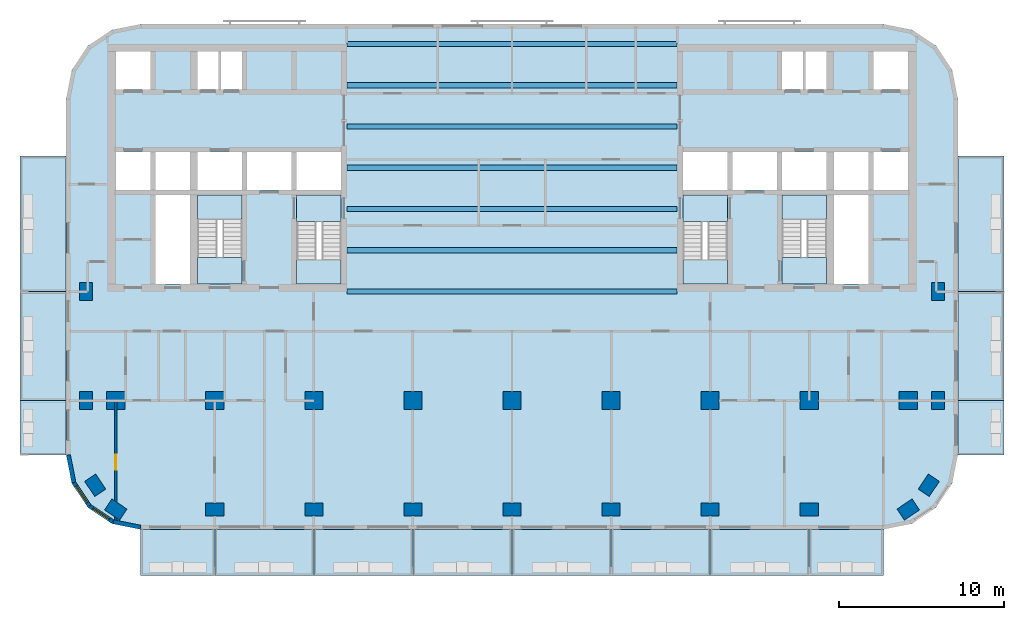
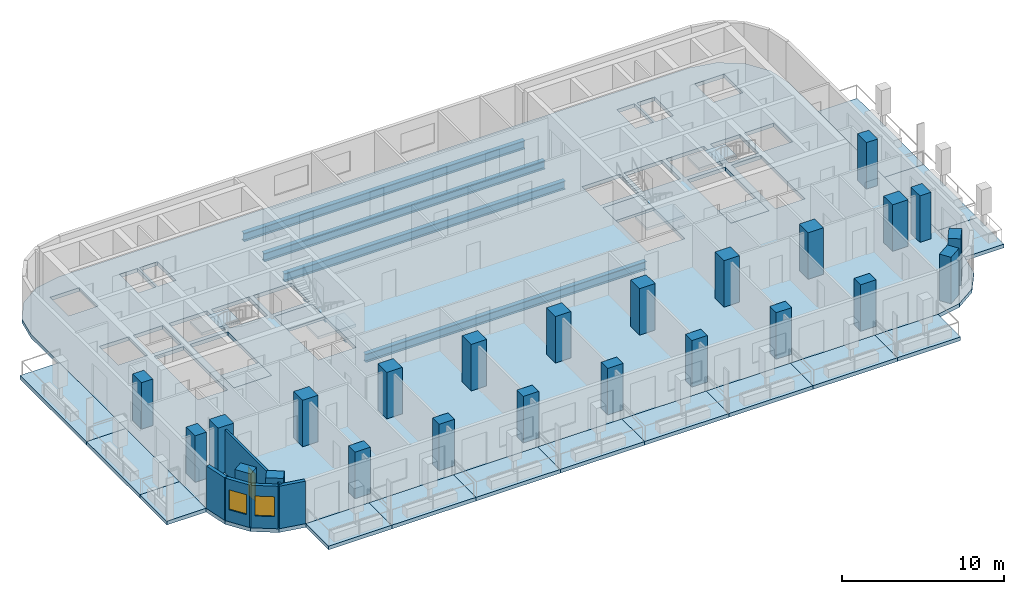
# One storey, part 1 of 11: 24 columns, 23 slabs, 7 beams, 5 walls, 2 windows, 1 door, 3 openings, 4 elements without a shape of their own.
"""IFC4 building model written with IfcOpenShell, lengths in metres."""

from ifc_helpers import new_model, si_unit, direction, frame, frame_2d, origin, origin_2d, place, context, subcontext, project, spatial, polyline, rectangle, i_section, outline, extrude, material, layer, layer_set, material_profile, profile_set, type_object, element, fill, aggregate, save


model = new_model("IFC4")

# Units and contexts
model_context = context("Model", 3, precision=1e-05, world=origin(), true_north=direction((0.0, 1.0)))
body_context = subcontext(model_context, "Body", "Model", "MODEL_VIEW")
ifc_project = project(units=[si_unit("LENGTHUNIT", "METRE"), si_unit("AREAUNIT", "SQUARE_METRE"), si_unit("VOLUMEUNIT", "CUBIC_METRE"), si_unit("PLANEANGLEUNIT", "RADIAN"), si_unit("MASSUNIT", "GRAM", prefix="KILO")], contexts=[model_context])

# Site, building, storey
site_placement = place(None, origin())
site = spatial("IfcSite", under=ifc_project, at=site_placement, CompositionType="ELEMENT")
building_placement = place(site_placement, origin())
building = spatial("IfcBuilding", under=site, at=building_placement, Name="Torana Hotel and Residences", CompositionType="ELEMENT")
storey_placement = place(building_placement, frame((0.0, 0.0, 243.10009765625)))
storey = spatial("IfcBuildingStorey", under=building, at=storey_placement, Name="L64", CompositionType="ELEMENT", Elevation=243.10009765625)

# Columns
ifc_material_1 = material(Name="Concrete C60/75", Category="concrete")
ifc_material_profile_1 = material_profile(ifc_material_1, rectangle(XDim=1.10009765625, YDim=1.10009765625, at=origin_2d()), Name="RC 1100x1100")
ifc_profile_set_1 = profile_set([ifc_material_profile_1], Name="Concrete C60/75")
column_type_1 = type_object("IfcColumnType", Name="COLUMN RC 1100x1100 C60/75", PredefinedType="COLUMN", material=ifc_profile_set_1)
for number, where, z_axis, x_axis, name in (
    (1, (-24.0, -21.60009765625, 0.0), (0.0, 0.0, 1.0), (1.0, 0.0, 0.0), "Column L64"),
    (2, (-18.0, -21.60009765625, 0.0), (0.0, 0.0, 1.0), (1.0, 0.0, 0.0), "Column L64"),
    (3, (-12.0, -21.60009765625, 0.0), (0.0, 0.0, 1.0), (1.0, 0.0, 0.0), "Column L64"),
    (4, (-6.0, -21.60009765625, 0.0), (0.0, 0.0, 1.0), (1.0, 0.0, 0.0), "Column L64"),
    (5, (0.0, -21.60009765625, 0.0), (0.0, 0.0, 1.0), (1.0, 0.0, 0.0), "Column L64"),
    (6, (6.0, -21.60009765625, 0.0), (0.0, 0.0, 1.0), (1.0, 0.0, 0.0), "Column L64"),
    (7, (12.0, -21.60009765625, 0.0), (0.0, 0.0, 1.0), (1.0, 0.0, 0.0), "Column L64"),
    (8, (18.0, -21.60009765625, 0.0), (0.0, 0.0, 1.0), (1.0, 0.0, 0.0), "Column L64"),
    (9, (24.0, -21.60009765625, 0.0), (0.0, 0.0, 1.0), (1.0, 0.0, 0.0), "Column L64"),
):
    element("IfcColumn", number, at=place(storey_placement, frame(where, z_axis=z_axis, x_axis=x_axis)), inside=storey, type_object=column_type_1, Name=name, PredefinedType="COLUMN", context=body_context, shape_type="SweptSolid", body=[
        extrude(rectangle(XDim=1.10009765625, YDim=1.10009765625, at=origin_2d()), origin(), (0.0, 0.0, 1.0), 3.5),
    ])
ifc_material_2 = material(Name="Concrete C60/75", Category="concrete")
ifc_material_profile_2 = material_profile(ifc_material_2, rectangle(XDim=1.10009765625, YDim=0.800048828125, at=origin_2d()), Name="RC 1100x800")
ifc_profile_set_2 = profile_set([ifc_material_profile_2], Name="Concrete C60/75")
column_type_2 = type_object("IfcColumnType", Name="COLUMN RC 1100x800 C60/75", PredefinedType="COLUMN", material=ifc_profile_set_2)
for number, where, z_axis, x_axis, name in (
    (10, (-25.800048828125, -21.60009765625, 0.0), (0.0, 0.0, 1.0), (0.0, 1.0, 0.0), "Column L64"),
    (11, (-25.800048828125, -15.0, 0.0), (0.0, 0.0, 1.0), (0.0, 1.0, 0.0), "Column L64"),
    (12, (-25.243896484375, -26.73291015625, 0.0), (0.0, 0.0, 1.0), (-0.555584744817, 0.831459915646, 0.0), "Column L64"),
    (13, (-24.0, -28.199951171875, 0.0), (0.0, 0.0, 1.0), (-0.831459915646, 0.555584744817, 0.0), "Column L64"),
    (14, (-18.0, -28.199951171875, 0.0), (0.0, 0.0, 1.0), (1.0, 0.0, 0.0), "Column L64"),
    (15, (-12.0, -28.199951171875, 0.0), (0.0, 0.0, 1.0), (1.0, 0.0, 0.0), "Column L64"),
    (16, (-6.0, -28.199951171875, 0.0), (0.0, 0.0, 1.0), (1.0, 0.0, 0.0), "Column L64"),
    (17, (0.0, -28.199951171875, 0.0), (0.0, 0.0, 1.0), (1.0, 0.0, 0.0), "Column L64"),
    (18, (6.0, -28.199951171875, 0.0), (0.0, 0.0, 1.0), (1.0, 0.0, 0.0), "Column L64"),
    (19, (12.0, -28.199951171875, 0.0), (0.0, 0.0, 1.0), (1.0, 0.0, 0.0), "Column L64"),
    (20, (18.0, -28.199951171875, 0.0), (0.0, 0.0, 1.0), (1.0, 0.0, 0.0), "Column L64"),
    (21, (24.0, -28.199951171875, 0.0), (0.0, 0.0, 1.0), (0.831459915646, 0.555584744817, 0.0), "Column L64"),
    (22, (25.243896484375, -26.73291015625, 0.0), (0.0, 0.0, 1.0), (0.555584744817, 0.831459915646, 0.0), "Column L64"),
    (23, (25.800048828125, -21.60009765625, 0.0), (0.0, 0.0, 1.0), (0.0, 1.0, 0.0), "Column L64"),
    (24, (25.800048828125, -15.0, 0.0), (0.0, 0.0, 1.0), (0.0, 1.0, 0.0), "Column L64"),
):
    element("IfcColumn", number, at=place(storey_placement, frame(where, z_axis=z_axis, x_axis=x_axis)), inside=storey, type_object=column_type_2, Name=name, PredefinedType="COLUMN", context=body_context, shape_type="SweptSolid", body=[
        extrude(rectangle(XDim=1.10009765625, YDim=0.800048828125, at=origin_2d()), origin(), (0.0, 0.0, 1.0), 3.5),
    ])

# Beams
ifc_material_3 = material(Name="Steel S355", Category="steel")
ifc_material_profile_3 = material_profile(ifc_material_3, i_section(OverallWidth=0.311279296875, OverallDepth=0.6357421875, WebThickness=0.018310546875, FlangeThickness=0.031494140625, FilletRadius=0.0166015625, at=origin_2d()), Name="610x305x238 UB")
ifc_profile_set_3 = profile_set([ifc_material_profile_3], Name="Steel S355")
beam_type = type_object("IfcBeamType", Name="STEEL GIRDER 610x305x238 UB", PredefinedType="BEAM", material=ifc_profile_set_3)
for number, where, z_axis, x_axis, name in (
    (25, (-10.0, -15.0, -0.597900390625), (1.0, 0.0, 0.0), (0.0, 1.0, 0.0), "Floor girder"),
    (26, (-10.0, -12.5, -0.597900390625), (1.0, 0.0, 0.0), (0.0, 1.0, 0.0), "Floor girder"),
    (27, (-10.0, -10.0, -0.597900390625), (1.0, 0.0, 0.0), (0.0, 1.0, 0.0), "Floor girder"),
    (28, (-10.0, -7.5, -0.597900390625), (1.0, 0.0, 0.0), (0.0, 1.0, 0.0), "Floor girder"),
    (29, (-10.0, -5.0, -0.597900390625), (1.0, 0.0, 0.0), (0.0, 1.0, 0.0), "Floor girder"),
    (30, (-10.0, -2.5, -0.597900390625), (1.0, 0.0, 0.0), (0.0, 1.0, 0.0), "Floor girder"),
    (31, (-10.0, 0.0, -0.597900390625), (1.0, 0.0, 0.0), (0.0, 1.0, 0.0), "Floor girder"),
):
    element("IfcBeam", number, at=place(storey_placement, frame(where, z_axis=z_axis, x_axis=x_axis)), inside=storey, type_object=beam_type, Name=name, PredefinedType="BEAM", context=body_context, shape_type="SweptSolid", body=[
        extrude(i_section(OverallWidth=0.311279296875, OverallDepth=0.6357421875, WebThickness=0.018310546875, FlangeThickness=0.031494140625, FilletRadius=0.0166015625, at=origin_2d()), origin(), (0.0, 0.0, 1.0), 20.0),
    ])

# Slabs
ifc_material_4 = material(Name="Concrete C40/50", Category="concrete")
ifc_layer_1 = layer(ifc_material_4, 0.280029296875)
ifc_layer_set_1 = layer_set([ifc_layer_1], Name="BAL1 BALCONY SLAB 280")
slab_type_1 = type_object("IfcSlabType", Name="BAL1 BALCONY SLAB 280", PredefinedType="USERDEFINED", material=ifc_layer_set_1)
slab_1_placement = place(storey_placement, frame((0.0, 0.0, -0.280029296875)))
element("IfcSlab", 32, at=slab_1_placement, inside=storey, type_object=slab_type_1, Name="Balcony 01", ObjectType="BALCONY", PredefinedType="USERDEFINED", context=body_context, shape_type="SweptSolid", body=[
    extrude(outline(polyline([(-22.5, -32.199951171875), (-18.0, -32.199951171875), (-18.0, -29.39990234375), (-22.5, -29.39990234375), (-22.5, -32.199951171875)])), origin(), (0.0, 0.0, 1.0), 0.280029296875),
])
slab_2_placement = place(storey_placement, frame((0.0, 0.0, -0.280029296875)))
element("IfcSlab", 33, at=slab_2_placement, inside=storey, type_object=slab_type_1, Name="Balcony 02", ObjectType="BALCONY", PredefinedType="USERDEFINED", context=body_context, shape_type="SweptSolid", body=[
    extrude(outline(polyline([(-18.0, -32.199951171875), (-12.0, -32.199951171875), (-12.0, -29.39990234375), (-18.0, -29.39990234375), (-18.0, -32.199951171875)])), origin(), (0.0, 0.0, 1.0), 0.280029296875),
])
slab_3_placement = place(storey_placement, frame((0.0, 0.0, -0.280029296875)))
element("IfcSlab", 34, at=slab_3_placement, inside=storey, type_object=slab_type_1, Name="Balcony 03", ObjectType="BALCONY", PredefinedType="USERDEFINED", context=body_context, shape_type="SweptSolid", body=[
    extrude(outline(polyline([(-12.0, -32.199951171875), (-6.0, -32.199951171875), (-6.0, -29.39990234375), (-12.0, -29.39990234375), (-12.0, -32.199951171875)])), origin(), (0.0, 0.0, 1.0), 0.280029296875),
])
slab_4_placement = place(storey_placement, frame((0.0, 0.0, -0.280029296875)))
element("IfcSlab", 35, at=slab_4_placement, inside=storey, type_object=slab_type_1, Name="Balcony 04", ObjectType="BALCONY", PredefinedType="USERDEFINED", context=body_context, shape_type="SweptSolid", body=[
    extrude(outline(polyline([(-6.0, -32.199951171875), (0.0, -32.199951171875), (0.0, -29.39990234375), (-6.0, -29.39990234375), (-6.0, -32.199951171875)])), origin(), (0.0, 0.0, 1.0), 0.280029296875),
])
slab_5_placement = place(storey_placement, frame((0.0, 0.0, -0.280029296875)))
element("IfcSlab", 36, at=slab_5_placement, inside=storey, type_object=slab_type_1, Name="Balcony 05", ObjectType="BALCONY", PredefinedType="USERDEFINED", context=body_context, shape_type="SweptSolid", body=[
    extrude(outline(polyline([(0.0, -32.199951171875), (6.0, -32.199951171875), (6.0, -29.39990234375), (0.0, -29.39990234375), (0.0, -32.199951171875)])), origin(), (0.0, 0.0, 1.0), 0.280029296875),
])
slab_6_placement = place(storey_placement, frame((0.0, 0.0, -0.280029296875)))
element("IfcSlab", 37, at=slab_6_placement, inside=storey, type_object=slab_type_1, Name="Balcony 06", ObjectType="BALCONY", PredefinedType="USERDEFINED", context=body_context, shape_type="SweptSolid", body=[
    extrude(outline(polyline([(6.0, -32.199951171875), (12.0, -32.199951171875), (12.0, -29.39990234375), (6.0, -29.39990234375), (6.0, -32.199951171875)])), origin(), (0.0, 0.0, 1.0), 0.280029296875),
])
slab_7_placement = place(storey_placement, frame((0.0, 0.0, -0.280029296875)))
element("IfcSlab", 38, at=slab_7_placement, inside=storey, type_object=slab_type_1, Name="Balcony 07", ObjectType="BALCONY", PredefinedType="USERDEFINED", context=body_context, shape_type="SweptSolid", body=[
    extrude(outline(polyline([(12.0, -32.199951171875), (18.0, -32.199951171875), (18.0, -29.39990234375), (12.0, -29.39990234375), (12.0, -32.199951171875)])), origin(), (0.0, 0.0, 1.0), 0.280029296875),
])
slab_8_placement = place(storey_placement, frame((0.0, 0.0, -0.280029296875)))
element("IfcSlab", 39, at=slab_8_placement, inside=storey, type_object=slab_type_1, Name="Balcony 08", ObjectType="BALCONY", PredefinedType="USERDEFINED", context=body_context, shape_type="SweptSolid", body=[
    extrude(outline(polyline([(18.0, -32.199951171875), (22.5, -32.199951171875), (22.5, -29.39990234375), (18.0, -29.39990234375), (18.0, -32.199951171875)])), origin(), (0.0, 0.0, 1.0), 0.280029296875),
])
slab_9_placement = place(storey_placement, frame((0.0, 0.0, -0.280029296875)))
element("IfcSlab", 40, at=slab_9_placement, inside=storey, type_object=slab_type_1, Name="Balcony 09", ObjectType="BALCONY", PredefinedType="USERDEFINED", context=body_context, shape_type="SweptSolid", body=[
    extrude(outline(polyline([(-29.800048828125, -24.89990234375), (-27.0, -24.89990234375), (-27.0, -21.60009765625), (-29.800048828125, -21.60009765625), (-29.800048828125, -24.89990234375)])), origin(), (0.0, 0.0, 1.0), 0.280029296875),
])
slab_10_placement = place(storey_placement, frame((0.0, 0.0, -0.280029296875)))
element("IfcSlab", 41, at=slab_10_placement, inside=storey, type_object=slab_type_1, Name="Balcony 10", ObjectType="BALCONY", PredefinedType="USERDEFINED", context=body_context, shape_type="SweptSolid", body=[
    extrude(outline(polyline([(-29.800048828125, -21.60009765625), (-27.0, -21.60009765625), (-27.0, -15.0), (-29.800048828125, -15.0), (-29.800048828125, -21.60009765625)])), origin(), (0.0, 0.0, 1.0), 0.280029296875),
])
slab_11_placement = place(storey_placement, frame((0.0, 0.0, -0.280029296875)))
element("IfcSlab", 42, at=slab_11_placement, inside=storey, type_object=slab_type_1, Name="Balcony 11", ObjectType="BALCONY", PredefinedType="USERDEFINED", context=body_context, shape_type="SweptSolid", body=[
    extrude(outline(polyline([(-29.800048828125, -15.0), (-27.0, -15.0), (-27.0, -6.800048828125), (-29.800048828125, -6.800048828125), (-29.800048828125, -15.0)])), origin(), (0.0, 0.0, 1.0), 0.280029296875),
])
slab_12_placement = place(storey_placement, frame((0.0, 0.0, -0.280029296875)))
element("IfcSlab", 43, at=slab_12_placement, inside=storey, type_object=slab_type_1, Name="Balcony 12", ObjectType="BALCONY", PredefinedType="USERDEFINED", context=body_context, shape_type="SweptSolid", body=[
    extrude(outline(polyline([(27.0, -24.89990234375), (29.800048828125, -24.89990234375), (29.800048828125, -21.60009765625), (27.0, -21.60009765625), (27.0, -24.89990234375)])), origin(), (0.0, 0.0, 1.0), 0.280029296875),
])
slab_13_placement = place(storey_placement, frame((0.0, 0.0, -0.280029296875)))
element("IfcSlab", 44, at=slab_13_placement, inside=storey, type_object=slab_type_1, Name="Balcony 13", ObjectType="BALCONY", PredefinedType="USERDEFINED", context=body_context, shape_type="SweptSolid", body=[
    extrude(outline(polyline([(27.0, -21.60009765625), (29.800048828125, -21.60009765625), (29.800048828125, -15.0), (27.0, -15.0), (27.0, -21.60009765625)])), origin(), (0.0, 0.0, 1.0), 0.280029296875),
])
slab_14_placement = place(storey_placement, frame((0.0, 0.0, -0.280029296875)))
element("IfcSlab", 45, at=slab_14_placement, inside=storey, type_object=slab_type_1, Name="Balcony 14", ObjectType="BALCONY", PredefinedType="USERDEFINED", context=body_context, shape_type="SweptSolid", body=[
    extrude(outline(polyline([(27.0, -15.0), (29.800048828125, -15.0), (29.800048828125, -6.800048828125), (27.0, -6.800048828125), (27.0, -15.0)])), origin(), (0.0, 0.0, 1.0), 0.280029296875),
])
ifc_material_5 = material(Name="Concrete C40/50", Category="concrete")
ifc_layer_2 = layer(ifc_material_5, 0.280029296875)
ifc_layer_set_2 = layer_set([ifc_layer_2], Name="FLOOR SLAB PT 280")
slab_type_2 = type_object("IfcSlabType", Name="FLOOR SLAB PT 280", PredefinedType="FLOOR", material=ifc_layer_set_2)
slab_15_placement = place(storey_placement, frame((0.0, 0.0, -0.280029296875)))
element("IfcSlab", 46, at=slab_15_placement, inside=storey, type_object=slab_type_2, Name="Floor slab", PredefinedType="FLOOR", context=body_context, shape_type="SweptSolid", body=[
    extrude(outline(polyline([(27.0, -3.300048828125), (26.657470703125, -1.577880859375), (25.681884765625, -0.117919921875), (24.22216796875, 0.857421875), (22.5, 1.199951171875), (-22.5, 1.199951171875), (-24.22216796875, 0.857421875), (-25.681884765625, -0.117919921875), (-26.657470703125, -1.577880859375), (-27.0, -3.300048828125), (-27.0, -24.89990234375), (-26.657470703125, -26.6220703125), (-25.681884765625, -28.08203125), (-24.22216796875, -29.0576171875), (-22.5, -29.39990234375), (22.5, -29.39990234375), (24.22216796875, -29.0576171875), (25.681884765625, -28.08203125), (26.657470703125, -26.6220703125), (27.0, -24.89990234375), (27.0, -3.300048828125)]), holes=[polyline([(-13.050048828125, -14.550048828125), (-10.35009765625, -14.550048828125), (-10.35009765625, -9.14990234375), (-13.050048828125, -9.14990234375), (-13.050048828125, -14.550048828125)]), polyline([(-19.050048828125, -14.550048828125), (-16.35009765625, -14.550048828125), (-16.35009765625, -9.14990234375), (-19.050048828125, -9.14990234375), (-19.050048828125, -14.550048828125)]), polyline([(-17.625, -2.75), (-16.35009765625, -2.75), (-16.35009765625, -0.449951171875), (-17.625, -0.449951171875), (-17.625, -2.75)]), polyline([(-19.050048828125, -2.75), (-17.77490234375, -2.75), (-17.77490234375, -0.449951171875), (-19.050048828125, -0.449951171875), (-19.050048828125, -2.75)]), polyline([(-21.60009765625, -8.85009765625), (-19.5, -8.85009765625), (-19.5, -6.550048828125), (-21.60009765625, -6.550048828125), (-21.60009765625, -8.85009765625)]), polyline([(-24.0, -2.75), (-21.89990234375, -2.75), (-21.89990234375, -0.449951171875), (-24.0, -0.449951171875), (-24.0, -2.75)]), polyline([(-24.0, -8.85009765625), (-21.89990234375, -8.85009765625), (-21.89990234375, -6.550048828125), (-24.0, -6.550048828125), (-24.0, -8.85009765625)]), polyline([(-13.050048828125, -8.85009765625), (-10.35009765625, -8.85009765625), (-10.35009765625, -6.550048828125), (-13.050048828125, -6.550048828125), (-13.050048828125, -8.85009765625)]), polyline([(-16.050048828125, -8.85009765625), (-13.35009765625, -8.85009765625), (-13.35009765625, -6.550048828125), (-16.050048828125, -6.550048828125), (-16.050048828125, -8.85009765625)]), polyline([(-19.050048828125, -8.85009765625), (-16.35009765625, -8.85009765625), (-16.35009765625, -6.550048828125), (-19.050048828125, -6.550048828125), (-19.050048828125, -8.85009765625)]), polyline([(-21.60009765625, -14.550048828125), (-19.5, -14.550048828125), (-19.5, -9.14990234375), (-21.60009765625, -9.14990234375), (-21.60009765625, -14.550048828125)]), polyline([(10.35009765625, -14.550048828125), (13.050048828125, -14.550048828125), (13.050048828125, -9.14990234375), (10.35009765625, -9.14990234375), (10.35009765625, -14.550048828125)]), polyline([(16.35009765625, -14.550048828125), (19.050048828125, -14.550048828125), (19.050048828125, -9.14990234375), (16.35009765625, -9.14990234375), (16.35009765625, -14.550048828125)]), polyline([(16.35009765625, -2.75), (17.625, -2.75), (17.625, -0.449951171875), (16.35009765625, -0.449951171875), (16.35009765625, -2.75)]), polyline([(17.77490234375, -2.75), (19.050048828125, -2.75), (19.050048828125, -0.449951171875), (17.77490234375, -0.449951171875), (17.77490234375, -2.75)]), polyline([(19.5, -8.85009765625), (21.60009765625, -8.85009765625), (21.60009765625, -6.550048828125), (19.5, -6.550048828125), (19.5, -8.85009765625)]), polyline([(21.89990234375, -2.75), (24.0, -2.75), (24.0, -0.449951171875), (21.89990234375, -0.449951171875), (21.89990234375, -2.75)]), polyline([(21.89990234375, -8.85009765625), (24.0, -8.85009765625), (24.0, -6.550048828125), (21.89990234375, -6.550048828125), (21.89990234375, -8.85009765625)]), polyline([(10.35009765625, -8.85009765625), (13.050048828125, -8.85009765625), (13.050048828125, -6.550048828125), (10.35009765625, -6.550048828125), (10.35009765625, -8.85009765625)]), polyline([(13.35009765625, -8.85009765625), (16.050048828125, -8.85009765625), (16.050048828125, -6.550048828125), (13.35009765625, -6.550048828125), (13.35009765625, -8.85009765625)]), polyline([(16.35009765625, -8.85009765625), (19.050048828125, -8.85009765625), (19.050048828125, -6.550048828125), (16.35009765625, -6.550048828125), (16.35009765625, -8.85009765625)]), polyline([(19.5, -14.550048828125), (21.60009765625, -14.550048828125), (21.60009765625, -9.14990234375), (19.5, -9.14990234375), (19.5, -14.550048828125)])]), origin(), (0.0, 0.0, 1.0), 0.280029296875),
])

# Stair, slabs
ifc_material_6 = material(Name="Concrete C40/50 precast", Category="concrete")
stair_type_1 = type_object("IfcStairType", Name="STAIR ST1 HALF TURN 1200", PredefinedType="HALF_TURN_STAIR", material=ifc_material_6)
stair_1_placement = place(storey_placement, origin())
stair_1 = element("IfcStair", 47, at=stair_1_placement, inside=storey, type_object=stair_type_1, Name="Stair ST1 L64", PredefinedType="HALF_TURN_STAIR")
ifc_material_7 = material(Name="Concrete C40/50 precast", Category="concrete")
ifc_layer_3 = layer(ifc_material_7, 0.199951171875)
ifc_layer_set_3 = layer_set([ifc_layer_3], Name="STAIR LANDING 200")
slab_type_3 = type_object("IfcSlabType", Name="STAIR LANDING 200", PredefinedType="LANDING", material=ifc_layer_set_3)
slab_16_placement = place(storey_placement, frame((0.0, 0.0, 1.5498046875)))
slab_16 = element("IfcSlab", 48, at=slab_16_placement, type_object=slab_type_3, Name="ST1 landing 1", PredefinedType="LANDING", context=body_context, shape_type="SweptSolid", body=[
    extrude(outline(polyline([(-13.050048828125, -14.550048828125), (-10.35009765625, -14.550048828125), (-10.35009765625, -13.090087890625), (-13.050048828125, -13.090087890625), (-13.050048828125, -14.550048828125)])), origin(), (0.0, 0.0, 1.0), 0.2001953125),
])
slab_17_placement = place(storey_placement, frame((0.0, 0.0, -0.2001953125)))
slab_17 = element("IfcSlab", 49, at=slab_17_placement, type_object=slab_type_3, Name="ST1 landing 2", PredefinedType="LANDING", context=body_context, shape_type="SweptSolid", body=[
    extrude(outline(polyline([(-13.050048828125, -10.75), (-10.35009765625, -10.75), (-10.35009765625, -9.14990234375), (-13.050048828125, -9.14990234375), (-13.050048828125, -10.75)])), origin(), (0.0, 0.0, 1.0), 0.2001953125),
])
aggregate(stair_1, [slab_16, slab_17])

ifc_material_8 = material(Name="Concrete C40/50 precast", Category="concrete")
stair_type_2 = type_object("IfcStairType", Name="STAIR ST2 HALF TURN 1200", PredefinedType="HALF_TURN_STAIR", material=ifc_material_8)
stair_2_placement = place(storey_placement, origin())
stair_2 = element("IfcStair", 50, at=stair_2_placement, inside=storey, type_object=stair_type_2, Name="Stair ST2 L64", PredefinedType="HALF_TURN_STAIR")
slab_18_placement = place(storey_placement, frame((0.0, 0.0, 1.5498046875)))
slab_18 = element("IfcSlab", 51, at=slab_18_placement, type_object=slab_type_3, Name="ST2 landing 1", PredefinedType="LANDING", context=body_context, shape_type="SweptSolid", body=[
    extrude(outline(polyline([(-19.050048828125, -10.610107421875), (-16.35009765625, -10.610107421875), (-16.35009765625, -9.14990234375), (-19.050048828125, -9.14990234375), (-19.050048828125, -10.610107421875)])), origin(), (0.0, 0.0, 1.0), 0.2001953125),
])
slab_19_placement = place(storey_placement, frame((0.0, 0.0, -0.2001953125)))
slab_19 = element("IfcSlab", 52, at=slab_19_placement, type_object=slab_type_3, Name="ST2 landing 2", PredefinedType="LANDING", context=body_context, shape_type="SweptSolid", body=[
    extrude(outline(polyline([(-19.050048828125, -14.550048828125), (-16.35009765625, -14.550048828125), (-16.35009765625, -12.949951171875), (-19.050048828125, -12.949951171875), (-19.050048828125, -14.550048828125)])), origin(), (0.0, 0.0, 1.0), 0.2001953125),
])
aggregate(stair_2, [slab_18, slab_19])

ifc_material_9 = material(Name="Concrete C40/50 precast", Category="concrete")
stair_type_3 = type_object("IfcStairType", Name="STAIR ST3 HALF TURN 1200", PredefinedType="HALF_TURN_STAIR", material=ifc_material_9)
stair_3_placement = place(storey_placement, origin())
stair_3 = element("IfcStair", 53, at=stair_3_placement, inside=storey, type_object=stair_type_3, Name="Stair ST3 L64", PredefinedType="HALF_TURN_STAIR")
slab_20_placement = place(storey_placement, frame((0.0, 0.0, 1.5498046875)))
slab_20 = element("IfcSlab", 54, at=slab_20_placement, type_object=slab_type_3, Name="ST3 landing 1", PredefinedType="LANDING", context=body_context, shape_type="SweptSolid", body=[
    extrude(outline(polyline([(10.35009765625, -14.550048828125), (13.050048828125, -14.550048828125), (13.050048828125, -13.090087890625), (10.35009765625, -13.090087890625), (10.35009765625, -14.550048828125)])), origin(), (0.0, 0.0, 1.0), 0.2001953125),
])
slab_21_placement = place(storey_placement, frame((0.0, 0.0, -0.2001953125)))
slab_21 = element("IfcSlab", 55, at=slab_21_placement, type_object=slab_type_3, Name="ST3 landing 2", PredefinedType="LANDING", context=body_context, shape_type="SweptSolid", body=[
    extrude(outline(polyline([(10.35009765625, -10.75), (13.050048828125, -10.75), (13.050048828125, -9.14990234375), (10.35009765625, -9.14990234375), (10.35009765625, -10.75)])), origin(), (0.0, 0.0, 1.0), 0.2001953125),
])
aggregate(stair_3, [slab_20, slab_21])

ifc_material_10 = material(Name="Concrete C40/50 precast", Category="concrete")
stair_type_4 = type_object("IfcStairType", Name="STAIR ST4 HALF TURN 1200", PredefinedType="HALF_TURN_STAIR", material=ifc_material_10)
stair_4_placement = place(storey_placement, origin())
stair_4 = element("IfcStair", 56, at=stair_4_placement, inside=storey, type_object=stair_type_4, Name="Stair ST4 L64", PredefinedType="HALF_TURN_STAIR")
slab_22_placement = place(storey_placement, frame((0.0, 0.0, 1.5498046875)))
slab_22 = element("IfcSlab", 57, at=slab_22_placement, type_object=slab_type_3, Name="ST4 landing 1", PredefinedType="LANDING", context=body_context, shape_type="SweptSolid", body=[
    extrude(outline(polyline([(16.35009765625, -10.610107421875), (19.050048828125, -10.610107421875), (19.050048828125, -9.14990234375), (16.35009765625, -9.14990234375), (16.35009765625, -10.610107421875)])), origin(), (0.0, 0.0, 1.0), 0.2001953125),
])
slab_23_placement = place(storey_placement, frame((0.0, 0.0, -0.2001953125)))
slab_23 = element("IfcSlab", 58, at=slab_23_placement, type_object=slab_type_3, Name="ST4 landing 2", PredefinedType="LANDING", context=body_context, shape_type="SweptSolid", body=[
    extrude(outline(polyline([(16.35009765625, -14.550048828125), (19.050048828125, -14.550048828125), (19.050048828125, -12.949951171875), (16.35009765625, -12.949951171875), (16.35009765625, -14.550048828125)])), origin(), (0.0, 0.0, 1.0), 0.2001953125),
])
aggregate(stair_4, [slab_22, slab_23])

# Wall
ifc_material_11 = material(Name="Black aluminium composite panel", Category="aluminium")
ifc_layer_4 = layer(ifc_material_11, 0.00390625, Name="Cladding", Category="cladding")
ifc_material_12 = material(Name="Ventilated air cavity")
ifc_layer_5 = layer(ifc_material_12, 0.0400390625, Name="Ventilated cavity", Category="cavity")
ifc_material_13 = material(Name="Mineral wool insulation")
ifc_layer_6 = layer(ifc_material_13, 0.090087890625, Name="Insulation", Category="insulation")
ifc_material_14 = material(Name="Steel S280GD", Category="steel")
ifc_layer_7 = layer(ifc_material_14, 0.092041015625, Name="Steel stud frame", Category="structure")
ifc_material_15 = material(Name="Fire rated plasterboard")
ifc_layer_8 = layer(ifc_material_15, 0.011962890625, Name="Inner board", Category="finish")
ifc_layer_9 = layer(ifc_material_15, 0.011962890625, Name="Second board", Category="finish")
ifc_layer_set_4 = layer_set([ifc_layer_4, ifc_layer_5, ifc_layer_6, ifc_layer_7, ifc_layer_8, ifc_layer_9], Name="EW1 EXTERNAL WALL BLACK METAL CLAD 250")
wall_type_1 = type_object("IfcWallType", Name="EW1 EXTERNAL WALL BLACK METAL CLAD 250", PredefinedType="SOLIDWALL", material=ifc_layer_set_4)
wall_1_placement = place(storey_placement, frame((-26.87255859375, -24.89990234375, 0.0), z_axis=(0.0, 0.0, 1.0), x_axis=(0.195026884138, -0.980797896849, 0.0)))
element("IfcWall", 59, at=wall_1_placement, inside=storey, type_object=wall_type_1, Name="External wall L64 e0.10", PredefinedType="SOLIDWALL", context=body_context, shape_type="SweptSolid", body=[
    extrude(rectangle(XDim=1.68115234375, YDim=0.25, at=frame_2d((0.840576171875, 0.0))), origin(), (0.0, 0.0, 1.0), 3.199951171875),
])

# Wall, opening, window
wall_2_placement = place(storey_placement, frame((-26.52587890625, -26.593994140625, 0.0), z_axis=(0.0, 0.0, 1.0), x_axis=(0.55555029066, -0.831482937015, 0.0)))
wall_2 = element("IfcWall", 60, at=wall_2_placement, inside=storey, type_object=wall_type_1, Name="External wall L64 e0.11", PredefinedType="SOLIDWALL", context=body_context, shape_type="SweptSolid", body=[
    extrude(rectangle(XDim=1.65625, YDim=0.25, at=frame_2d((0.828125, 0.0))), origin(), (0.0, 0.0, 1.0), 3.199951171875),
])
opening_1_placement = place(wall_2_placement, frame((0.228271484375, 0.0, 0.89990234375)))
opening_1 = element("IfcOpeningElement", 61, at=opening_1_placement, cuts=wall_2, Name="Opening W5", PredefinedType="OPENING", context=body_context, shape_type="SweptSolid", body=[
    extrude(rectangle(XDim=1.199951171875, YDim=1.5, at=frame_2d((0.60009765625, 0.75))), frame((0.0, 0.135009765625, 0.0), z_axis=(0.0, -1.0, 0.0), x_axis=(1.0, 0.0, 0.0)), (0.0, 0.0, 1.0), 0.27001953125),
])
ifc_material_16 = material(Name="Dark glass in black aluminium frame", Category="aluminium")
window_type = type_object("IfcWindowType", Name="W5 CORNER FACET WINDOW 1200x1500", PartitioningType="SINGLE_PANEL", PredefinedType="WINDOW", material=ifc_material_16)
window_1_placement = place(opening_1_placement, origin())
window_1 = element("IfcWindow", 62, at=window_1_placement, inside=storey, type_object=window_type, Name="Window L64 e0.11", OverallHeight=1.5, OverallWidth=1.199951171875, PartitioningType="SINGLE_PANEL", PredefinedType="WINDOW", context=body_context, shape_type="SweptSolid", body=[
    extrude(rectangle(XDim=1.199951171875, YDim=1.5, at=frame_2d((0.60009765625, 0.75))), frame((0.0, 0.030029296875, 0.0), z_axis=(0.0, -1.0, 0.0), x_axis=(1.0, 0.0, 0.0)), (0.0, 0.0, 1.0), 0.06005859375),
])
fill(opening_1, window_1)

wall_3_placement = place(storey_placement, frame((-25.5712890625, -28.005615234375, 0.0), z_axis=(0.0, 0.0, 1.0), x_axis=(0.831482937015, -0.55555029066, 0.0)))
wall_3 = element("IfcWall", 63, at=wall_3_placement, inside=storey, type_object=wall_type_1, Name="External wall L64 e0.12", PredefinedType="SOLIDWALL", context=body_context, shape_type="SweptSolid", body=[
    extrude(rectangle(XDim=1.65625, YDim=0.25, at=frame_2d((0.828125, 0.0))), origin(), (0.0, 0.0, 1.0), 3.199951171875),
])
opening_2_placement = place(wall_3_placement, frame((0.228271484375, 0.0, 0.89990234375)))
opening_2 = element("IfcOpeningElement", 64, at=opening_2_placement, cuts=wall_3, Name="Opening W5", PredefinedType="OPENING", context=body_context, shape_type="SweptSolid", body=[
    extrude(rectangle(XDim=1.199951171875, YDim=1.5, at=frame_2d((0.60009765625, 0.75))), frame((0.0, 0.135009765625, 0.0), z_axis=(0.0, -1.0, 0.0), x_axis=(1.0, 0.0, 0.0)), (0.0, 0.0, 1.0), 0.27001953125),
])
window_2_placement = place(opening_2_placement, origin())
window_2 = element("IfcWindow", 65, at=window_2_placement, inside=storey, type_object=window_type, Name="Window L64 e0.12", OverallHeight=1.5, OverallWidth=1.199951171875, PartitioningType="SINGLE_PANEL", PredefinedType="WINDOW", context=body_context, shape_type="SweptSolid", body=[
    extrude(rectangle(XDim=1.199951171875, YDim=1.5, at=frame_2d((0.60009765625, 0.75))), frame((0.0, 0.030029296875, 0.0), z_axis=(0.0, -1.0, 0.0), x_axis=(1.0, 0.0, 0.0)), (0.0, 0.0, 1.0), 0.06005859375),
])
fill(opening_2, window_2)

# Wall
wall_4_placement = place(storey_placement, frame((-24.14892578125, -28.944580078125, 0.0), z_axis=(0.0, 0.0, 1.0), x_axis=(0.980775640221, -0.19513878023, 0.0)))
element("IfcWall", 66, at=wall_4_placement, inside=storey, type_object=wall_type_1, Name="External wall L64 e0.13", PredefinedType="SOLIDWALL", context=body_context, shape_type="SweptSolid", body=[
    extrude(rectangle(XDim=1.681396484375, YDim=0.25, at=frame_2d((0.8408203125, 0.0))), origin(), (0.0, 0.0, 1.0), 3.199951171875),
])

# Wall, opening, door
ifc_material_17 = material(Name="Gypsum plasterboard")
ifc_layer_10 = layer(ifc_material_17, 0.012451171875, Name="Plasterboard", Category="finish")
ifc_layer_11 = layer(ifc_material_17, 0.012451171875, Name="Plasterboard", Category="finish")
ifc_layer_12 = layer(ifc_material_14, 0.10009765625, Name="Steel studs with mineral wool", Category="insulation")
ifc_layer_13 = layer(ifc_material_17, 0.012451171875, Name="Plasterboard", Category="finish")
ifc_layer_14 = layer(ifc_material_17, 0.012451171875, Name="Plasterboard", Category="finish")
ifc_layer_set_5 = layer_set([ifc_layer_10, ifc_layer_11, ifc_layer_12, ifc_layer_13, ifc_layer_14], Name="PARTITION 150 PLASTERBOARD")
wall_type_2 = type_object("IfcWallType", Name="PARTITION 150 PLASTERBOARD", PredefinedType="PARTITIONING", material=ifc_layer_set_5)
wall_5_placement = place(storey_placement, frame((-24.0, -28.918212890625, 0.0), z_axis=(0.0, 0.0, 1.0), x_axis=(0.0, 1.0, 0.0)))
wall_5 = element("IfcWall", 67, at=wall_5_placement, inside=storey, type_object=wall_type_2, Name="Partition L64", PredefinedType="PARTITIONING", context=body_context, shape_type="SweptSolid", body=[
    extrude(rectangle(XDim=7.318115234375, YDim=0.14990234375, at=frame_2d((3.6591796875, 0.0))), origin(), (0.0, 0.0, 1.0), 3.219970703125),
])
opening_3_placement = place(wall_5_placement, frame((3.135986328125, 0.0, 0.0)))
opening_3 = element("IfcOpeningElement", 68, at=opening_3_placement, cuts=wall_5, Name="Opening L64-55", PredefinedType="OPENING", context=body_context, shape_type="SweptSolid", body=[
    extrude(rectangle(XDim=0.89990234375, YDim=2.10009765625, at=frame_2d((0.449951171875, 1.050048828125))), frame((0.0, 0.0849609375, 0.0), z_axis=(0.0, -1.0, 0.0), x_axis=(1.0, 0.0, 0.0)), (0.0, 0.0, 1.0), 0.169921875),
])
ifc_material_18 = material(Name="Timber door, oiled ash", Category="wood")
door_type = type_object("IfcDoorType", Name="ROOM DOOR D7 900x2100", OperationType="SINGLE_SWING_LEFT", PredefinedType="DOOR", material=ifc_material_18)
door_placement = place(opening_3_placement, origin())
door = element("IfcDoor", 69, at=door_placement, inside=storey, type_object=door_type, Name="Door L64", OperationType="SINGLE_SWING_RIGHT", OverallHeight=2.10009765625, OverallWidth=0.89990234375, PredefinedType="DOOR", context=body_context, shape_type="SweptSolid", body=[
    extrude(rectangle(XDim=0.89990234375, YDim=2.10009765625, at=frame_2d((0.449951171875, 1.050048828125))), frame((0.0, 0.02490234375, 0.0), z_axis=(0.0, -1.0, 0.0), x_axis=(1.0, 0.0, 0.0)), (0.0, 0.0, 1.0), 0.050048828125),
])
fill(opening_3, door)

save(model, "model.ifc")
